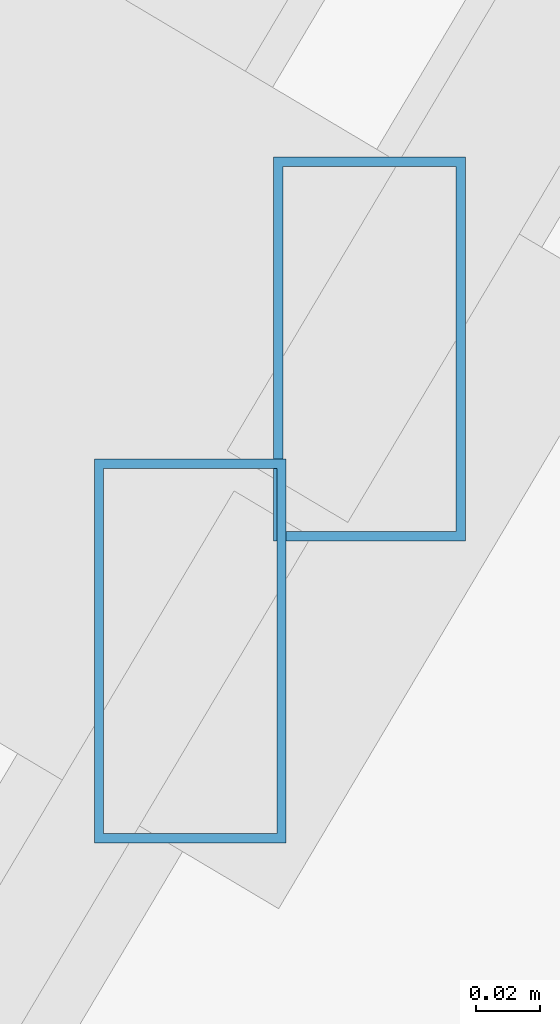
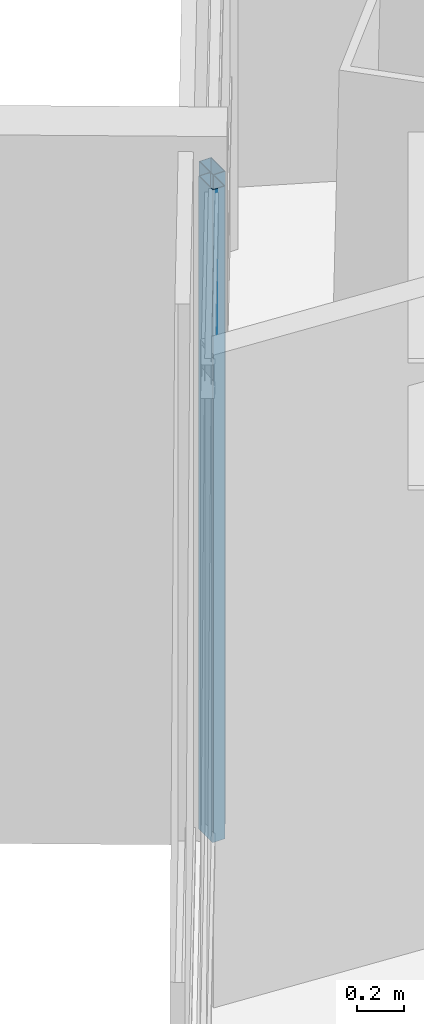
# One storey, part 15 of 46: 2 members, 2 elements without a shape of their own.
"""IFC4 building model written with IfcOpenShell, lengths in metres."""

from ifc_helpers import new_model, si_unit, direction, frame, origin, origin_2d, place, context, subcontext, project, spatial, hollow_rectangle, extrude, source, transform, mapped, material, material_profile, profile_set, type_object, type_shapes, element, aggregate, save


model = new_model("IFC4")

# Units and contexts
model_context = context("Model", 3, precision=1e-05, world=origin(), true_north=direction((0.0, 1.0)))
body_context = subcontext(model_context, "Body", "Model", "MODEL_VIEW")
ifc_project = project(units=[si_unit("LENGTHUNIT", "METRE"), si_unit("AREAUNIT", "SQUARE_METRE"), si_unit("VOLUMEUNIT", "CUBIC_METRE"), si_unit("PLANEANGLEUNIT", "RADIAN"), si_unit("MASSUNIT", "GRAM", prefix="KILO")], contexts=[model_context])

# Site, building, storey
site_placement = place(None, origin())
site = spatial("IfcSite", under=ifc_project, at=site_placement, CompositionType="ELEMENT")
building_placement = place(site_placement, origin())
building = spatial("IfcBuilding", under=site, at=building_placement, Name="Caelisora Broadcast Tower", CompositionType="ELEMENT")
storey_placement = place(building_placement, frame((0.0, 0.0, 237.14990234375)))
storey = spatial("IfcBuildingStorey", under=building, at=storey_placement, Name="L62", CompositionType="ELEMENT", Elevation=237.14990234375)

# Curtain wall, member
ifc_material_1 = material(Name="Unitised Aluminium and Low-E Glass Curtain Wall", Category="glass")
curtain_wall_type_1 = type_object("IfcCurtainWallType", Name="CW-Z5", PredefinedType="NOTDEFINED", material=ifc_material_1)
curtain_wall_1_placement = place(storey_placement, origin())
curtain_wall_1 = element("IfcCurtainWall", 1, at=curtain_wall_1_placement, inside=storey, type_object=curtain_wall_type_1, Name="L62 curtain wall CW-Z5", PredefinedType="NOTDEFINED")
ifc_material_2 = material(Name="Aluminium 6063-T6 Anodised Terracotta Bronze", Category="aluminium")
ifc_material_profile = material_profile(ifc_material_2, hollow_rectangle(XDim=0.06005859375, YDim=0.1201171875, WallThickness=0.0029296875, at=origin_2d()), Name="Aluminium 6063-T6 Anodised Terracotta Bronze")
ifc_profile_set = profile_set([ifc_material_profile], Name="Aluminium 6063-T6 Anodised Terracotta Bronze")
member_type = type_object("IfcMemberType", Name="CWM-04", PredefinedType="MULLION", material=ifc_profile_set)
shared_shape = source(origin(), body_context, "Body", "SweptSolid", [
    extrude(hollow_rectangle(XDim=0.06005859375, YDim=0.1201171875, WallThickness=0.0029296875, at=origin_2d()), origin(), (0.0, 0.0, 1.0), 3.400146484375),
])
type_shapes(member_type, [shared_shape])
member_1_placement = place(storey_placement, frame((20.95361328125, 26.293212890625, 0.0), z_axis=(0.0, 0.0, 1.0), x_axis=(1.0, 0.0, 0.0)))
member_1 = element("IfcMember", 2, at=member_1_placement, type_object=member_type, Name="L62-CW-B09 mullion #3", PredefinedType="MULLION", context=body_context, shape_type="MappedRepresentation", body=[
    mapped(shared_shape, transform((0.0, 0.0, 0.0), scale=1.0)),
])
aggregate(curtain_wall_1, [member_1])

ifc_material_3 = material(Name="Unitised Aluminium Insulated Shadow-Box Spandrel Curtain Wall", Category="aluminium")
curtain_wall_type_2 = type_object("IfcCurtainWallType", Name="CW-SP3", PredefinedType="NOTDEFINED", material=ifc_material_3)
curtain_wall_2_placement = place(storey_placement, origin())
curtain_wall_2 = element("IfcCurtainWall", 3, at=curtain_wall_2_placement, inside=storey, type_object=curtain_wall_type_2, Name="L62 curtain wall CW-SP3", PredefinedType="NOTDEFINED")
member_2_placement = place(storey_placement, frame((21.009765625, 26.3876953125, 0.0), z_axis=(0.0, 0.0, 1.0), x_axis=(1.0, 0.0, 0.0)))
member_2 = element("IfcMember", 4, at=member_2_placement, type_object=member_type, Name="L62-CW-B10 mullion #0", PredefinedType="MULLION", context=body_context, shape_type="MappedRepresentation", body=[
    mapped(shared_shape, transform((0.0, 0.0, 0.0), scale=1.0)),
])
aggregate(curtain_wall_2, [member_2])

save(model, "model.ifc")
